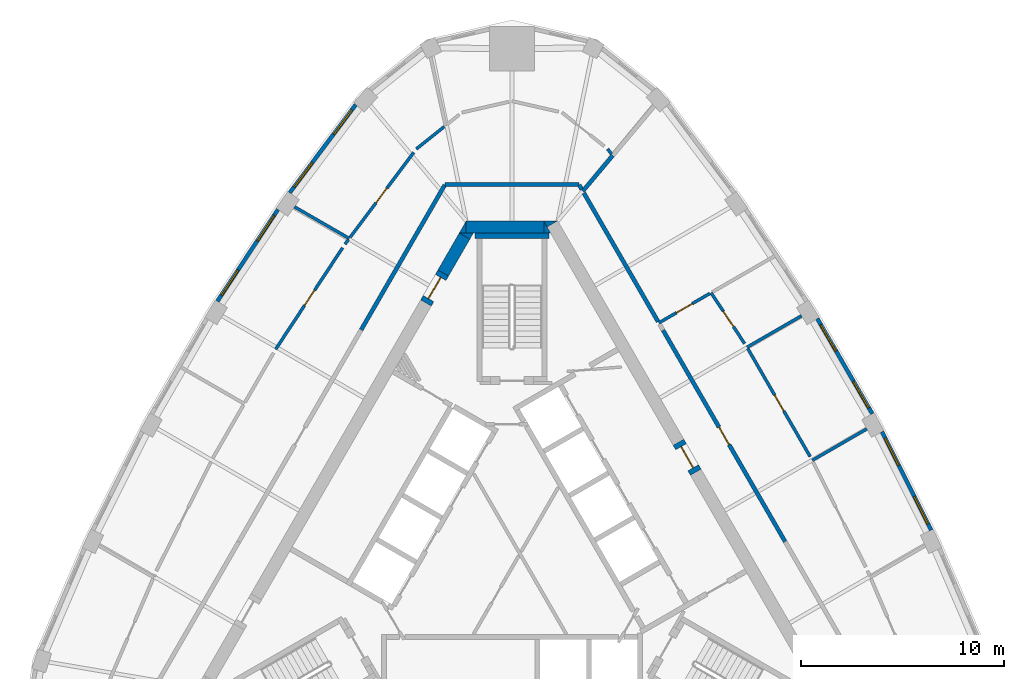
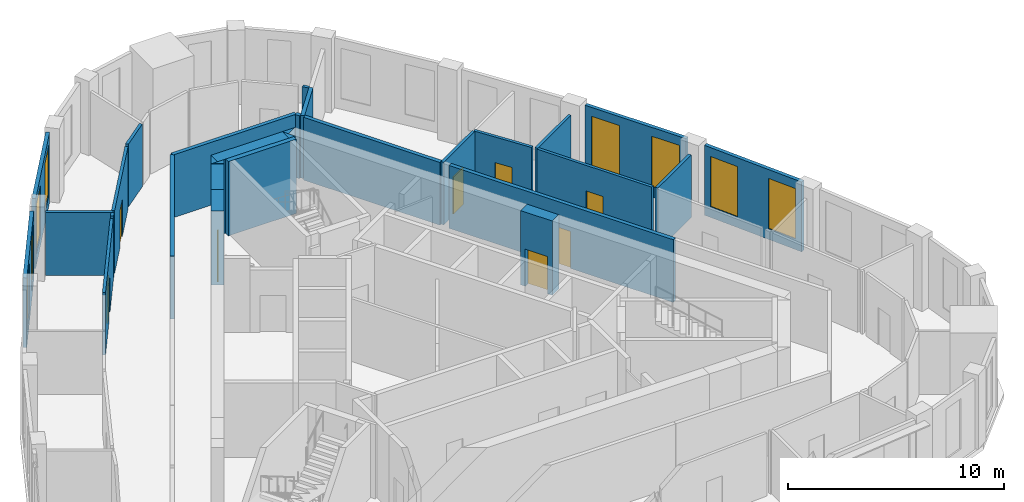
# One storey, part 8 of 10: 30 walls, 8 doors, 8 windows, 16 openings.
"""IFC4 building model written with IfcOpenShell, lengths in metres."""

from ifc_helpers import new_model, si_unit, direction, frame, frame_2d, origin, place, context, subcontext, project, spatial, polyline, rectangle, outline, extrude, material, layer, layer_set, type_object, element, fill, save


model = new_model("IFC4")

# Units and contexts
model_context = context("Model", 3, precision=1e-05, world=origin(), true_north=direction((0.0, 1.0)))
body_context = subcontext(model_context, "Body", "Model", "MODEL_VIEW")
ifc_project = project(units=[si_unit("LENGTHUNIT", "METRE"), si_unit("AREAUNIT", "SQUARE_METRE"), si_unit("VOLUMEUNIT", "CUBIC_METRE"), si_unit("PLANEANGLEUNIT", "RADIAN"), si_unit("MASSUNIT", "GRAM", prefix="KILO")], contexts=[model_context])

# Site, building, storey
site_placement = place(None, origin())
site = spatial("IfcSite", under=ifc_project, at=site_placement, CompositionType="ELEMENT")
building_placement = place(site_placement, origin())
building = spatial("IfcBuilding", under=site, at=building_placement, Name="Mestral Congress Tower", CompositionType="ELEMENT")
storey_placement = place(building_placement, frame((0.0, 0.0, 275.39990234375)))
storey = spatial("IfcBuildingStorey", under=building, at=storey_placement, Name="L64", CompositionType="ELEMENT", Elevation=275.39990234375)

# Walls
ifc_material_1 = material(Name="Concrete C60/75", Category="concrete")
ifc_layer_1 = layer(ifc_material_1, 0.60009765625)
ifc_layer_set_1 = layer_set([ifc_layer_1], Name="Concrete C60/75")
wall_type_1 = type_object("IfcWallType", Name="Core wall RC 600", PredefinedType="SOLIDWALL", material=ifc_layer_set_1)
placement = place(storey_placement, origin())
element("IfcWall", 1, at=placement, inside=storey, type_object=wall_type_1, Name="L64 core wall", PredefinedType="SOLIDWALL", context=body_context, shape_type="SweptSolid", body=[
    extrude(outline(polyline([(1.558837890625, 16.60009765625), (2.23486328125, 16.60009765625), (1.727783203125, 16.307373046875), (1.558837890625, 16.60009765625)])), origin(), (0.0, 0.0, 1.0), 4.2001953125),
])
wall_2_placement = place(storey_placement, frame((-2.258056640625, 16.300048828125, 0.0), z_axis=(0.0, 0.0, 1.0), x_axis=(1.0, 0.0, 0.0)))
element("IfcWall", 2, at=wall_2_placement, inside=storey, type_object=wall_type_1, Name="L64 core wall", PredefinedType="SOLIDWALL", context=body_context, shape_type="SweptSolid", body=[
    extrude(rectangle(XDim=3.8232421875, YDim=0.60009765625, at=frame_2d((1.91162109375, 0.0))), origin(), (0.0, 0.0, 1.0), 4.2001953125),
])
element("IfcWall", 3, at=placement, inside=storey, type_object=wall_type_1, Name="L64 core wall", PredefinedType="SOLIDWALL", context=body_context, shape_type="SweptSolid", body=[
    extrude(outline(polyline([(1.9052734375, 16.0), (1.5673828125, 16.0), (1.5673828125, 16.58544921875), (1.9052734375, 16.0)])), origin(), (0.0, 0.0, 1.0), 4.2001953125),
])
element("IfcWall", 4, at=placement, inside=storey, type_object=wall_type_1, Name="L64 core wall", PredefinedType="SOLIDWALL", context=body_context, shape_type="SweptSolid", body=[
    extrude(outline(polyline([(-2.59814453125, 16.0), (-2.260009765625, 16.58544921875), (-2.260009765625, 16.0), (-2.59814453125, 16.0)])), origin(), (0.0, 0.0, 1.0), 4.2001953125),
])
wall_5_placement = place(storey_placement, frame((-2.335205078125, 15.85546875, 0.0), z_axis=(0.0, 0.0, 1.0), x_axis=(-0.499980971027, -0.866036389889, 0.0)))
element("IfcWall", 5, at=wall_5_placement, inside=storey, type_object=wall_type_1, Name="L64 core wall", PredefinedType="SOLIDWALL", context=body_context, shape_type="SweptSolid", body=[
    extrude(rectangle(XDim=2.09814453125, YDim=0.60009765625, at=frame_2d((1.049072265625, 0.0))), origin(), (0.0, 0.0, 1.0), 4.2001953125),
])
element("IfcWall", 6, at=placement, inside=storey, type_object=wall_type_1, Name="L64 core wall", PredefinedType="SOLIDWALL", context=body_context, shape_type="SweptSolid", body=[
    extrude(outline(polyline([(-1.9052734375, 16.0), (-2.07421875, 15.707275390625), (-2.581298828125, 16.0), (-1.9052734375, 16.0)])), origin(), (0.0, 0.0, 1.0), 4.2001953125),
])

# Wall, opening, door
wall_7_placement = place(storey_placement, frame((-4.234375, 12.56591796875, 0.0), z_axis=(0.0, 0.0, 1.0), x_axis=(0.500000056704, 0.866025371046, 0.0)))
wall_7 = element("IfcWall", 7, at=wall_7_placement, inside=storey, type_object=wall_type_1, Name="L64 door wall", PredefinedType="SOLIDWALL", context=body_context, shape_type="SweptSolid", body=[
    extrude(rectangle(XDim=1.7001953125, YDim=0.60009765625, at=frame_2d((0.85009765625, 0.0))), origin(), (0.0, 0.0, 1.0), 4.2001953125),
])
opening_1_placement = place(wall_7_placement, frame((0.25, 0.0, 0.0)))
opening_1 = element("IfcOpeningElement", 8, at=opening_1_placement, cuts=wall_7, Name="Opening XD2", PredefinedType="OPENING", context=body_context, shape_type="SweptSolid", body=[
    extrude(rectangle(XDim=1.199951171875, YDim=2.10009765625, at=frame_2d((0.60009765625, 1.050048828125))), frame((0.0, 0.31005859375, 0.0), z_axis=(0.0, -1.0, 0.0), x_axis=(1.0, 0.0, 0.0)), (0.0, 0.0, 1.0), 0.6201171875),
])
ifc_material_2 = material(Name="Fire-rated steel door set", Category="steel")
door_type_1 = type_object("IfcDoorType", Name="Core door XD 1200x2100", OperationType="SINGLE_SWING_LEFT", PredefinedType="DOOR", material=ifc_material_2)
door_1_placement = place(opening_1_placement, origin())
door_1 = element("IfcDoor", 9, at=door_1_placement, inside=storey, type_object=door_type_1, Name="Door XD2", OperationType="SINGLE_SWING_LEFT", OverallHeight=2.10009765625, OverallWidth=1.199951171875, PredefinedType="DOOR", context=body_context, shape_type="SweptSolid", body=[
    extrude(rectangle(XDim=1.199951171875, YDim=2.10009765625, at=frame_2d((0.60009765625, 1.050048828125))), frame((0.0, 0.02490234375, 0.0), z_axis=(0.0, -1.0, 0.0), x_axis=(1.0, 0.0, 0.0)), (0.0, 0.0, 1.0), 0.050048828125),
])
fill(opening_1, door_1)

wall_8_placement = place(storey_placement, frame((8.19189453125, 5.711181640625, 0.0), z_axis=(0.0, 0.0, 1.0), x_axis=(0.500062241894, -0.865989465428, 0.0)))
wall_8 = element("IfcWall", 10, at=wall_8_placement, inside=storey, type_object=wall_type_1, Name="L64 door wall", PredefinedType="SOLIDWALL", context=body_context, shape_type="SweptSolid", body=[
    extrude(rectangle(XDim=1.699951171875, YDim=0.60009765625, at=frame_2d((0.85009765625, 0.0))), origin(), (0.0, 0.0, 1.0), 4.2001953125),
])
opening_2_placement = place(wall_8_placement, frame((0.25, 0.0, 0.0)))
opening_2 = element("IfcOpeningElement", 11, at=opening_2_placement, cuts=wall_8, Name="Opening XDL", PredefinedType="OPENING", context=body_context, shape_type="SweptSolid", body=[
    extrude(rectangle(XDim=1.199951171875, YDim=2.10009765625, at=frame_2d((0.60009765625, 1.050048828125))), frame((0.0, 0.31005859375, 0.0), z_axis=(0.0, -1.0, 0.0), x_axis=(1.0, 0.0, 0.0)), (0.0, 0.0, 1.0), 0.6201171875),
])
door_2_placement = place(opening_2_placement, origin())
door_2 = element("IfcDoor", 12, at=door_2_placement, inside=storey, type_object=door_type_1, Name="Door XDL", OperationType="SINGLE_SWING_LEFT", OverallHeight=2.10009765625, OverallWidth=1.199951171875, PredefinedType="DOOR", context=body_context, shape_type="SweptSolid", body=[
    extrude(rectangle(XDim=1.199951171875, YDim=2.10009765625, at=frame_2d((0.60009765625, 1.050048828125))), frame((0.0, 0.02490234375, 0.0), z_axis=(0.0, -1.0, 0.0), x_axis=(1.0, 0.0, 0.0)), (0.0, 0.0, 1.0), 0.050048828125),
])
fill(opening_2, door_2)

# Wall, openings, windows
ifc_material_3 = material(Name="Precast concrete C40/50 with limestone facing", Category="masonry")
ifc_layer_2 = layer(ifc_material_3, 0.18994140625)
ifc_layer_set_2 = layer_set([ifc_layer_2], Name="Precast concrete C40/50 with limestone facing")
wall_type_2 = type_object("IfcWallType", Name="Facade stone wall 190", PredefinedType="SOLIDWALL", material=ifc_layer_set_2)
wall_9_placement = place(storey_placement, frame((20.625, 1.39208984375, 0.0), z_axis=(0.0, 0.0, 1.0), x_axis=(-0.447484531401, 0.894291671747, 0.0)))
wall_9 = element("IfcWall", 13, at=wall_9_placement, inside=storey, type_object=wall_type_2, Name="Facade wall F1-01", PredefinedType="SOLIDWALL", context=body_context, shape_type="SweptSolid", body=[
    extrude(rectangle(XDim=5.40625, YDim=0.18994140625, at=frame_2d((2.703125, 0.0))), origin(), (0.0, 0.0, 1.0), 3.9501953125),
])
opening_3_placement = place(wall_9_placement, frame((0.346435546875, 0.0, 0.60009765625)))
opening_3 = element("IfcOpeningElement", 14, at=opening_3_placement, cuts=wall_9, Name="Opening W6", PredefinedType="OPENING", context=body_context, shape_type="SweptSolid", body=[
    extrude(rectangle(XDim=1.5, YDim=2.85009765625, at=frame_2d((0.75, 1.425048828125))), frame((0.0, 0.10498046875, 0.0), z_axis=(0.0, -1.0, 0.0), x_axis=(1.0, 0.0, 0.0)), (0.0, 0.0, 1.0), 0.2099609375),
])
opening_4_placement = place(wall_9_placement, frame((3.559326171875, 0.0, 0.60009765625)))
opening_4 = element("IfcOpeningElement", 15, at=opening_4_placement, cuts=wall_9, Name="Opening W6", PredefinedType="OPENING", context=body_context, shape_type="SweptSolid", body=[
    extrude(rectangle(XDim=1.5, YDim=2.85009765625, at=frame_2d((0.75, 1.425048828125))), frame((0.0, 0.10498046875, 0.0), z_axis=(0.0, -1.0, 0.0), x_axis=(1.0, 0.0, 0.0)), (0.0, 0.0, 1.0), 0.2099609375),
])
ifc_material_4 = material(Name="Clear low-emissivity double glazing", Category="glass")
window_type = type_object("IfcWindowType", Name="Facade punched window 1500 x 2850 sill 600", PartitioningType="SINGLE_PANEL", PredefinedType="WINDOW", material=ifc_material_4)
window_1_placement = place(opening_3_placement, origin())
window_1 = element("IfcWindow", 16, at=window_1_placement, inside=storey, type_object=window_type, Name="Window F1-01a", OverallHeight=2.85009765625, OverallWidth=1.5, PartitioningType="SINGLE_PANEL", PredefinedType="WINDOW", context=body_context, shape_type="SweptSolid", body=[
    extrude(rectangle(XDim=1.5, YDim=2.85009765625, at=frame_2d((0.75, 1.425048828125))), frame((0.0, 0.044921875, 0.0), z_axis=(0.0, -1.0, 0.0), x_axis=(1.0, 0.0, 0.0)), (0.0, 0.0, 1.0), 0.06005859375),
])
fill(opening_3, window_1)
window_2_placement = place(opening_4_placement, origin())
window_2 = element("IfcWindow", 17, at=window_2_placement, inside=storey, type_object=window_type, Name="Window F1-01b", OverallHeight=2.85009765625, OverallWidth=1.5, PartitioningType="SINGLE_PANEL", PredefinedType="WINDOW", context=body_context, shape_type="SweptSolid", body=[
    extrude(rectangle(XDim=1.5, YDim=2.85009765625, at=frame_2d((0.75, 1.425048828125))), frame((0.0, 0.044921875, 0.0), z_axis=(0.0, -1.0, 0.0), x_axis=(1.0, 0.0, 0.0)), (0.0, 0.0, 1.0), 0.06005859375),
])
fill(opening_4, window_2)

wall_10_placement = place(storey_placement, frame((17.728271484375, 7.1142578125, 0.0), z_axis=(0.0, 0.0, 1.0), x_axis=(-0.500024767483, 0.866011103799, 0.0)))
wall_10 = element("IfcWall", 18, at=wall_10_placement, inside=storey, type_object=wall_type_2, Name="Facade wall F1-02", PredefinedType="SOLIDWALL", context=body_context, shape_type="SweptSolid", body=[
    extrude(rectangle(XDim=5.406005859375, YDim=0.18994140625, at=frame_2d((2.703125, 0.0))), origin(), (0.0, 0.0, 1.0), 3.9501953125),
])
opening_5_placement = place(wall_10_placement, frame((0.346435546875, 0.0, 0.60009765625)))
opening_5 = element("IfcOpeningElement", 19, at=opening_5_placement, cuts=wall_10, Name="Opening W6", PredefinedType="OPENING", context=body_context, shape_type="SweptSolid", body=[
    extrude(rectangle(XDim=1.5, YDim=2.85009765625, at=frame_2d((0.75, 1.425048828125))), frame((0.0, 0.10498046875, 0.0), z_axis=(0.0, -1.0, 0.0), x_axis=(1.0, 0.0, 0.0)), (0.0, 0.0, 1.0), 0.2099609375),
])
opening_6_placement = place(wall_10_placement, frame((3.5595703125, 0.0, 0.60009765625)))
opening_6 = element("IfcOpeningElement", 20, at=opening_6_placement, cuts=wall_10, Name="Opening W6", PredefinedType="OPENING", context=body_context, shape_type="SweptSolid", body=[
    extrude(rectangle(XDim=1.5, YDim=2.85009765625, at=frame_2d((0.75, 1.425048828125))), frame((0.0, 0.10498046875, 0.0), z_axis=(0.0, -1.0, 0.0), x_axis=(1.0, 0.0, 0.0)), (0.0, 0.0, 1.0), 0.2099609375),
])
window_3_placement = place(opening_5_placement, origin())
window_3 = element("IfcWindow", 21, at=window_3_placement, inside=storey, type_object=window_type, Name="Window F1-02a", OverallHeight=2.85009765625, OverallWidth=1.5, PartitioningType="SINGLE_PANEL", PredefinedType="WINDOW", context=body_context, shape_type="SweptSolid", body=[
    extrude(rectangle(XDim=1.5, YDim=2.85009765625, at=frame_2d((0.75, 1.425048828125))), frame((0.0, 0.044921875, 0.0), z_axis=(0.0, -1.0, 0.0), x_axis=(1.0, 0.0, 0.0)), (0.0, 0.0, 1.0), 0.06005859375),
])
fill(opening_5, window_3)
window_4_placement = place(opening_6_placement, origin())
window_4 = element("IfcWindow", 22, at=window_4_placement, inside=storey, type_object=window_type, Name="Window F1-02b", OverallHeight=2.85009765625, OverallWidth=1.5, PartitioningType="SINGLE_PANEL", PredefinedType="WINDOW", context=body_context, shape_type="SweptSolid", body=[
    extrude(rectangle(XDim=1.5, YDim=2.85009765625, at=frame_2d((0.75, 1.425048828125))), frame((0.0, 0.044921875, 0.0), z_axis=(0.0, -1.0, 0.0), x_axis=(1.0, 0.0, 0.0)), (0.0, 0.0, 1.0), 0.06005859375),
])
fill(opening_6, window_4)

wall_11_placement = place(storey_placement, frame((-7.691650390625, 22.32373046875, 0.0), z_axis=(0.0, 0.0, 1.0), x_axis=(-0.599559865294, -0.800329911929, 0.0)))
wall_11 = element("IfcWall", 23, at=wall_11_placement, inside=storey, type_object=wall_type_2, Name="Facade wall F2-00", PredefinedType="SOLIDWALL", context=body_context, shape_type="SweptSolid", body=[
    extrude(rectangle(XDim=5.4150390625, YDim=0.18994140625, at=frame_2d((2.70751953125, 0.0))), origin(), (0.0, 0.0, 1.0), 3.9501953125),
])
opening_7_placement = place(wall_11_placement, frame((0.322509765625, 0.0, 0.60009765625)))
opening_7 = element("IfcOpeningElement", 24, at=opening_7_placement, cuts=wall_11, Name="Opening W6", PredefinedType="OPENING", context=body_context, shape_type="SweptSolid", body=[
    extrude(rectangle(XDim=1.5, YDim=2.85009765625, at=frame_2d((0.75, 1.425048828125))), frame((0.0, 0.10498046875, 0.0), z_axis=(0.0, -1.0, 0.0), x_axis=(1.0, 0.0, 0.0)), (0.0, 0.0, 1.0), 0.2099609375),
])
opening_8_placement = place(wall_11_placement, frame((3.5576171875, 0.0, 0.60009765625)))
opening_8 = element("IfcOpeningElement", 25, at=opening_8_placement, cuts=wall_11, Name="Opening W6", PredefinedType="OPENING", context=body_context, shape_type="SweptSolid", body=[
    extrude(rectangle(XDim=1.5, YDim=2.85009765625, at=frame_2d((0.75, 1.425048828125))), frame((0.0, 0.10498046875, 0.0), z_axis=(0.0, -1.0, 0.0), x_axis=(1.0, 0.0, 0.0)), (0.0, 0.0, 1.0), 0.2099609375),
])
window_5_placement = place(opening_7_placement, origin())
window_5 = element("IfcWindow", 26, at=window_5_placement, inside=storey, type_object=window_type, Name="Window F2-00a", OverallHeight=2.85009765625, OverallWidth=1.5, PartitioningType="SINGLE_PANEL", PredefinedType="WINDOW", context=body_context, shape_type="SweptSolid", body=[
    extrude(rectangle(XDim=1.5, YDim=2.85009765625, at=frame_2d((0.75, 1.425048828125))), frame((0.0, 0.044921875, 0.0), z_axis=(0.0, -1.0, 0.0), x_axis=(1.0, 0.0, 0.0)), (0.0, 0.0, 1.0), 0.06005859375),
])
fill(opening_7, window_5)
window_6_placement = place(opening_8_placement, origin())
window_6 = element("IfcWindow", 27, at=window_6_placement, inside=storey, type_object=window_type, Name="Window F2-00b", OverallHeight=2.85009765625, OverallWidth=1.5, PartitioningType="SINGLE_PANEL", PredefinedType="WINDOW", context=body_context, shape_type="SweptSolid", body=[
    extrude(rectangle(XDim=1.5, YDim=2.85009765625, at=frame_2d((0.75, 1.425048828125))), frame((0.0, 0.044921875, 0.0), z_axis=(0.0, -1.0, 0.0), x_axis=(1.0, 0.0, 0.0)), (0.0, 0.0, 1.0), 0.06005859375),
])
fill(opening_8, window_6)

wall_12_placement = place(storey_placement, frame((-11.518310546875, 17.16552734375, 0.0), z_axis=(0.0, 0.0, 1.0), x_axis=(-0.550744054781, -0.83467417962, 0.0)))
wall_12 = element("IfcWall", 28, at=wall_12_placement, inside=storey, type_object=wall_type_2, Name="Facade wall F2-01", PredefinedType="SOLIDWALL", context=body_context, shape_type="SweptSolid", body=[
    extrude(rectangle(XDim=5.406005859375, YDim=0.18994140625, at=frame_2d((2.703125, 0.0))), origin(), (0.0, 0.0, 1.0), 3.9501953125),
])
opening_9_placement = place(wall_12_placement, frame((0.346435546875, 0.0, 0.60009765625)))
opening_9 = element("IfcOpeningElement", 29, at=opening_9_placement, cuts=wall_12, Name="Opening W6", PredefinedType="OPENING", context=body_context, shape_type="SweptSolid", body=[
    extrude(rectangle(XDim=1.5, YDim=2.85009765625, at=frame_2d((0.75, 1.425048828125))), frame((0.0, 0.10498046875, 0.0), z_axis=(0.0, -1.0, 0.0), x_axis=(1.0, 0.0, 0.0)), (0.0, 0.0, 1.0), 0.2099609375),
])
opening_10_placement = place(wall_12_placement, frame((3.559326171875, 0.0, 0.60009765625)))
opening_10 = element("IfcOpeningElement", 30, at=opening_10_placement, cuts=wall_12, Name="Opening W6", PredefinedType="OPENING", context=body_context, shape_type="SweptSolid", body=[
    extrude(rectangle(XDim=1.5, YDim=2.85009765625, at=frame_2d((0.75, 1.425048828125))), frame((0.0, 0.10498046875, 0.0), z_axis=(0.0, -1.0, 0.0), x_axis=(1.0, 0.0, 0.0)), (0.0, 0.0, 1.0), 0.2099609375),
])
window_7_placement = place(opening_9_placement, origin())
window_7 = element("IfcWindow", 31, at=window_7_placement, inside=storey, type_object=window_type, Name="Window F2-01a", OverallHeight=2.85009765625, OverallWidth=1.5, PartitioningType="SINGLE_PANEL", PredefinedType="WINDOW", context=body_context, shape_type="SweptSolid", body=[
    extrude(rectangle(XDim=1.5, YDim=2.85009765625, at=frame_2d((0.75, 1.425048828125))), frame((0.0, 0.044921875, 0.0), z_axis=(0.0, -1.0, 0.0), x_axis=(1.0, 0.0, 0.0)), (0.0, 0.0, 1.0), 0.06005859375),
])
fill(opening_9, window_7)
window_8_placement = place(opening_10_placement, origin())
window_8 = element("IfcWindow", 32, at=window_8_placement, inside=storey, type_object=window_type, Name="Window F2-01b", OverallHeight=2.85009765625, OverallWidth=1.5, PartitioningType="SINGLE_PANEL", PredefinedType="WINDOW", context=body_context, shape_type="SweptSolid", body=[
    extrude(rectangle(XDim=1.5, YDim=2.85009765625, at=frame_2d((0.75, 1.425048828125))), frame((0.0, 0.044921875, 0.0), z_axis=(0.0, -1.0, 0.0), x_axis=(1.0, 0.0, 0.0)), (0.0, 0.0, 1.0), 0.06005859375),
])
fill(opening_10, window_8)

# Walls
ifc_material_5 = material(Name="Plasterboard partition on steel studs", Category="steel")
ifc_layer_3 = layer(ifc_material_5, 0.14990234375)
ifc_layer_set_3 = layer_set([ifc_layer_3], Name="Plasterboard partition on steel studs")
wall_type_3 = type_object("IfcWallType", Name="Office partition 150", PredefinedType="PARTITIONING", material=ifc_layer_set_3)
for number, where, z_axis, x_axis, name in (
    (33, (14.77734375, 4.821533203125, 0.0), (0.0, 0.0, 1.0), (0.865992557167, 0.500056887695, 0.0), "Partition"),
    (34, (11.564208984375, 10.38671875, 0.0), (0.0, 0.0, 1.0), (0.86604641216, 0.499963610661, 0.0), "Partition"),
):
    element("IfcWall", number, at=place(storey_placement, frame(where, z_axis=z_axis, x_axis=x_axis)), inside=storey, type_object=wall_type_3, Name=name, PredefinedType="PARTITIONING", context=body_context, shape_type="SweptSolid", body=[
        extrude(rectangle(XDim=3.096435546875, YDim=0.14990234375, at=frame_2d((1.54833984375, 0.0))), origin(), (0.0, 0.0, 1.0), 3.550048828125),
    ])

# Wall, opening, door
wall_13_placement = place(storey_placement, frame((11.601806640625, 10.32177734375, 0.0), z_axis=(0.0, 0.0, 1.0), x_axis=(0.499989914735, -0.866031226437, 0.0)))
wall_13 = element("IfcWall", 35, at=wall_13_placement, inside=storey, type_object=wall_type_3, Name="Partition", PredefinedType="PARTITIONING", context=body_context, shape_type="SweptSolid", body=[
    extrude(rectangle(XDim=6.136962890625, YDim=0.14990234375, at=frame_2d((3.068359375, 0.0))), origin(), (0.0, 0.0, 1.0), 3.550048828125),
])
opening_11_placement = place(wall_13_placement, frame((2.63671875, 0.0, 0.0)))
opening_11 = element("IfcOpeningElement", 36, at=opening_11_placement, cuts=wall_13, Name="Opening O11-009", PredefinedType="OPENING", context=body_context, shape_type="SweptSolid", body=[
    extrude(rectangle(XDim=0.89990234375, YDim=2.10009765625, at=frame_2d((0.449951171875, 1.050048828125))), frame((0.0, 0.0849609375, 0.0), z_axis=(0.0, -1.0, 0.0), x_axis=(1.0, 0.0, 0.0)), (0.0, 0.0, 1.0), 0.169921875),
])
ifc_material_6 = material(Name="Timber door set", Category="wood")
door_type_2 = type_object("IfcDoorType", Name="Office door 900x2100", OperationType="SINGLE_SWING_LEFT", PredefinedType="DOOR", material=ifc_material_6)
door_3_placement = place(opening_11_placement, origin())
door_3 = element("IfcDoor", 37, at=door_3_placement, inside=storey, type_object=door_type_2, Name="Door O11-009", OperationType="SINGLE_SWING_RIGHT", OverallHeight=2.10009765625, OverallWidth=0.89990234375, PredefinedType="DOOR", context=body_context, shape_type="SweptSolid", body=[
    extrude(rectangle(XDim=0.89990234375, YDim=2.10009765625, at=frame_2d((0.449951171875, 1.050048828125))), frame((0.0, 0.02490234375, 0.0), z_axis=(0.0, -1.0, 0.0), x_axis=(1.0, 0.0, 0.0)), (0.0, 0.0, 1.0), 0.050048828125),
])
fill(opening_11, door_3)

wall_14_placement = place(storey_placement, frame((9.794677734375, 13.068359375, 0.0), z_axis=(0.0, 0.0, 1.0), x_axis=(0.550767347659, -0.834658809786, 0.0)))
wall_14 = element("IfcWall", 38, at=wall_14_placement, inside=storey, type_object=wall_type_3, Name="Partition", PredefinedType="PARTITIONING", context=body_context, shape_type="SweptSolid", body=[
    extrude(rectangle(XDim=2.998779296875, YDim=0.14990234375, at=frame_2d((1.49951171875, 0.0))), origin(), (0.0, 0.0, 1.0), 3.550048828125),
])
opening_12_placement = place(wall_14_placement, frame((1.0986328125, 0.0, 0.0)))
opening_12 = element("IfcOpeningElement", 39, at=opening_12_placement, cuts=wall_14, Name="Opening O11-010", PredefinedType="OPENING", context=body_context, shape_type="SweptSolid", body=[
    extrude(rectangle(XDim=0.89990234375, YDim=2.10009765625, at=frame_2d((0.449951171875, 1.050048828125))), frame((0.0, 0.0849609375, 0.0), z_axis=(0.0, -1.0, 0.0), x_axis=(1.0, 0.0, 0.0)), (0.0, 0.0, 1.0), 0.169921875),
])
door_4_placement = place(opening_12_placement, origin())
door_4 = element("IfcDoor", 40, at=door_4_placement, inside=storey, type_object=door_type_2, Name="Door O11-010", OperationType="SINGLE_SWING_RIGHT", OverallHeight=2.10009765625, OverallWidth=0.89990234375, PredefinedType="DOOR", context=body_context, shape_type="SweptSolid", body=[
    extrude(rectangle(XDim=0.89990234375, YDim=2.10009765625, at=frame_2d((0.449951171875, 1.050048828125))), frame((0.0, 0.02490234375, 0.0), z_axis=(0.0, -1.0, 0.0), x_axis=(1.0, 0.0, 0.0)), (0.0, 0.0, 1.0), 0.050048828125),
])
fill(opening_12, door_4)

wall_15_placement = place(storey_placement, frame((7.2255859375, 11.585205078125, 0.0), z_axis=(0.0, 0.0, 1.0), x_axis=(0.866021079084, 0.500007490527, 0.0)))
wall_15 = element("IfcWall", 41, at=wall_15_placement, inside=storey, type_object=wall_type_3, Name="Partition", PredefinedType="PARTITIONING", context=body_context, shape_type="SweptSolid", body=[
    extrude(rectangle(XDim=2.8916015625, YDim=0.14990234375, at=frame_2d((1.44580078125, 0.0))), origin(), (0.0, 0.0, 1.0), 3.550048828125),
])
opening_13_placement = place(wall_15_placement, frame((1.0, 0.0, 0.0)))
opening_13 = element("IfcOpeningElement", 42, at=opening_13_placement, cuts=wall_15, Name="Opening O11-012", PredefinedType="OPENING", context=body_context, shape_type="SweptSolid", body=[
    extrude(rectangle(XDim=0.89990234375, YDim=2.10009765625, at=frame_2d((0.449951171875, 1.050048828125))), frame((0.0, 0.0849609375, 0.0), z_axis=(0.0, -1.0, 0.0), x_axis=(1.0, 0.0, 0.0)), (0.0, 0.0, 1.0), 0.169921875),
])
door_5_placement = place(opening_13_placement, origin())
door_5 = element("IfcDoor", 43, at=door_5_placement, inside=storey, type_object=door_type_2, Name="Door O11-012", OperationType="SINGLE_SWING_RIGHT", OverallHeight=2.10009765625, OverallWidth=0.89990234375, PredefinedType="DOOR", context=body_context, shape_type="SweptSolid", body=[
    extrude(rectangle(XDim=0.89990234375, YDim=2.10009765625, at=frame_2d((0.449951171875, 1.050048828125))), frame((0.0, 0.02490234375, 0.0), z_axis=(0.0, -1.0, 0.0), x_axis=(1.0, 0.0, 0.0)), (0.0, 0.0, 1.0), 0.050048828125),
])
fill(opening_13, door_5)

# Walls
wall_16_placement = place(storey_placement, frame((4.89111328125, 19.8994140625, 0.0), z_axis=(0.0, 0.0, 1.0), x_axis=(-0.6, 0.8, 0.0)))
element("IfcWall", 44, at=wall_16_placement, inside=storey, type_object=wall_type_3, Name="Partition", PredefinedType="PARTITIONING", context=body_context, shape_type="SweptSolid", body=[
    extrude(rectangle(XDim=0.308837890625, YDim=0.14990234375, at=frame_2d((0.154296875, 0.0))), origin(), (0.0, 0.0, 1.0), 3.550048828125),
])
wall_17_placement = place(storey_placement, frame((-8.007080078125, 15.73974609375, 0.0), z_axis=(0.0, 0.0, 1.0), x_axis=(-0.866044607523, 0.499966736674, 0.0)))
element("IfcWall", 45, at=wall_17_placement, inside=storey, type_object=wall_type_3, Name="Partition", PredefinedType="PARTITIONING", context=body_context, shape_type="SweptSolid", body=[
    extrude(rectangle(XDim=3.114501953125, YDim=0.14990234375, at=frame_2d((1.55712890625, 0.0))), origin(), (0.0, 0.0, 1.0), 3.550048828125),
])
wall_18_placement = place(storey_placement, frame((-3.337158203125, 21.239013671875, 0.0), z_axis=(0.0, 0.0, 1.0), x_axis=(-0.781534814884, -0.62386162979, 0.0)))
element("IfcWall", 46, at=wall_18_placement, inside=storey, type_object=wall_type_3, Name="Partition", PredefinedType="PARTITIONING", context=body_context, shape_type="SweptSolid", body=[
    extrude(rectangle(XDim=1.751220703125, YDim=0.14990234375, at=frame_2d((0.87548828125, 0.0))), origin(), (0.0, 0.0, 1.0), 3.550048828125),
])

# Wall, opening, door
wall_19_placement = place(storey_placement, frame((-7.9619140625, 15.800048828125, 0.0), z_axis=(0.0, 0.0, 1.0), x_axis=(0.599528135832, 0.800353680785, 0.0)))
wall_19 = element("IfcWall", 47, at=wall_19_placement, inside=storey, type_object=wall_type_3, Name="Partition", PredefinedType="PARTITIONING", context=body_context, shape_type="SweptSolid", body=[
    extrude(rectangle(XDim=5.216552734375, YDim=0.14990234375, at=frame_2d((2.6083984375, 0.0))), origin(), (0.0, 0.0, 1.0), 3.550048828125),
])
opening_14_placement = place(wall_19_placement, frame((2.116455078125, 0.0, 0.0)))
opening_14 = element("IfcOpeningElement", 48, at=opening_14_placement, cuts=wall_19, Name="Opening O11-014", PredefinedType="OPENING", context=body_context, shape_type="SweptSolid", body=[
    extrude(rectangle(XDim=0.89990234375, YDim=2.10009765625, at=frame_2d((0.449951171875, 1.050048828125))), frame((0.0, 0.0849609375, 0.0), z_axis=(0.0, -1.0, 0.0), x_axis=(1.0, 0.0, 0.0)), (0.0, 0.0, 1.0), 0.169921875),
])
door_6_placement = place(opening_14_placement, origin())
door_6 = element("IfcDoor", 49, at=door_6_placement, inside=storey, type_object=door_type_2, Name="Door O11-014", OperationType="SINGLE_SWING_LEFT", OverallHeight=2.10009765625, OverallWidth=0.89990234375, PredefinedType="DOOR", context=body_context, shape_type="SweptSolid", body=[
    extrude(rectangle(XDim=0.89990234375, YDim=2.10009765625, at=frame_2d((0.449951171875, 1.050048828125))), frame((0.0, 0.02490234375, 0.0), z_axis=(0.0, -1.0, 0.0), x_axis=(1.0, 0.0, 0.0)), (0.0, 0.0, 1.0), 0.050048828125),
])
fill(opening_14, door_6)

# Wall
wall_20_placement = place(storey_placement, frame((-8.052490234375, 15.67919921875, 0.0), z_axis=(0.0, 0.0, 1.0), x_axis=(-0.599004157744, -0.800745914136, 0.0)))
element("IfcWall", 50, at=wall_20_placement, inside=storey, type_object=wall_type_3, Name="Partition", PredefinedType="PARTITIONING", context=body_context, shape_type="SweptSolid", body=[
    extrude(rectangle(XDim=0.274658203125, YDim=0.14990234375, at=frame_2d((0.13720703125, 0.0))), origin(), (0.0, 0.0, 1.0), 3.550048828125),
])

# Wall, opening, door
wall_21_placement = place(storey_placement, frame((-11.62841796875, 10.28955078125, 0.0), z_axis=(0.0, 0.0, 1.0), x_axis=(0.55074607557, 0.834672846236, 0.0)))
wall_21 = element("IfcWall", 51, at=wall_21_placement, inside=storey, type_object=wall_type_3, Name="Partition", PredefinedType="PARTITIONING", context=body_context, shape_type="SweptSolid", body=[
    extrude(rectangle(XDim=5.9794921875, YDim=0.14990234375, at=frame_2d((2.98974609375, 0.0))), origin(), (0.0, 0.0, 1.0), 3.550048828125),
])
opening_15_placement = place(wall_21_placement, frame((2.57958984375, 0.0, 0.0)))
opening_15 = element("IfcOpeningElement", 52, at=opening_15_placement, cuts=wall_21, Name="Opening O11-015", PredefinedType="OPENING", context=body_context, shape_type="SweptSolid", body=[
    extrude(rectangle(XDim=0.89990234375, YDim=2.10009765625, at=frame_2d((0.449951171875, 1.050048828125))), frame((0.0, 0.0849609375, 0.0), z_axis=(0.0, -1.0, 0.0), x_axis=(1.0, 0.0, 0.0)), (0.0, 0.0, 1.0), 0.169921875),
])
door_7_placement = place(opening_15_placement, origin())
door_7 = element("IfcDoor", 53, at=door_7_placement, inside=storey, type_object=door_type_2, Name="Door O11-015", OperationType="SINGLE_SWING_RIGHT", OverallHeight=2.10009765625, OverallWidth=0.89990234375, PredefinedType="DOOR", context=body_context, shape_type="SweptSolid", body=[
    extrude(rectangle(XDim=0.89990234375, YDim=2.10009765625, at=frame_2d((0.449951171875, 1.050048828125))), frame((0.0, 0.02490234375, 0.0), z_axis=(0.0, -1.0, 0.0), x_axis=(1.0, 0.0, 0.0)), (0.0, 0.0, 1.0), 0.050048828125),
])
fill(opening_15, door_7)

ifc_material_7 = material(Name="Dense masonry wall, plastered", Category="masonry")
ifc_layer_4 = layer(ifc_material_7, 0.199951171875)
ifc_layer_set_4 = layer_set([ifc_layer_4], Name="Dense masonry wall, plastered")
wall_type_4 = type_object("IfcWallType", Name="Office tenancy wall 200", PredefinedType="PARTITIONING", material=ifc_layer_set_4)
wall_22_placement = place(storey_placement, frame((13.435546875, 0.828857421875, 0.0), z_axis=(0.0, 0.0, 1.0), x_axis=(-0.49999894854, 0.866026010844, 0.0)))
wall_22 = element("IfcWall", 54, at=wall_22_placement, inside=storey, type_object=wall_type_4, Name="Tenancy wall", PredefinedType="PARTITIONING", context=body_context, shape_type="SweptSolid", body=[
    extrude(rectangle(XDim=12.0, YDim=0.199951171875, at=frame_2d((6.0, 0.0))), origin(), (0.0, 0.0, 1.0), 3.550048828125),
])
opening_16_placement = place(wall_22_placement, frame((5.5, 0.0, 0.0)))
opening_16 = element("IfcOpeningElement", 55, at=opening_16_placement, cuts=wall_22, Name="Opening O11-011", PredefinedType="OPENING", context=body_context, shape_type="SweptSolid", body=[
    extrude(rectangle(XDim=1.0, YDim=2.10009765625, at=frame_2d((0.5, 1.050048828125))), frame((0.0, 0.10986328125, 0.0), z_axis=(0.0, -1.0, 0.0), x_axis=(1.0, 0.0, 0.0)), (0.0, 0.0, 1.0), 0.219970703125),
])
ifc_material_8 = material(Name="Fire-rated timber door set", Category="wood")
door_type_3 = type_object("IfcDoorType", Name="Office tenancy entrance door 1000x2100", OperationType="SINGLE_SWING_LEFT", PredefinedType="DOOR", material=ifc_material_8)
door_8_placement = place(opening_16_placement, origin())
door_8 = element("IfcDoor", 56, at=door_8_placement, inside=storey, type_object=door_type_3, Name="Door O11-011", OperationType="SINGLE_SWING_RIGHT", OverallHeight=2.10009765625, OverallWidth=1.0, PredefinedType="DOOR", context=body_context, shape_type="SweptSolid", body=[
    extrude(rectangle(XDim=1.0, YDim=2.10009765625, at=frame_2d((0.5, 1.050048828125))), frame((0.0, 0.02490234375, 0.0), z_axis=(0.0, -1.0, 0.0), x_axis=(1.0, 0.0, 0.0)), (0.0, 0.0, 1.0), 0.050048828125),
])
fill(opening_16, door_8)

# Walls
wall_23_placement = place(storey_placement, frame((3.483154296875, 18.06689453125, 0.0), z_axis=(0.0, 0.0, 1.0), x_axis=(0.642896944312, 0.765952687177, 0.0)))
element("IfcWall", 57, at=wall_23_placement, inside=storey, type_object=wall_type_4, Name="Tenancy wall", PredefinedType="PARTITIONING", context=body_context, shape_type="SweptSolid", body=[
    extrude(rectangle(XDim=2.28955078125, YDim=0.199951171875, at=frame_2d((1.144775390625, 0.0))), origin(), (0.0, 0.0, 1.0), 3.550048828125),
])
wall_24_placement = place(storey_placement, frame((7.18798828125, 11.64990234375, 0.0), z_axis=(0.0, 0.0, 1.0), x_axis=(-0.499989634868, 0.866031388014, 0.0)))
element("IfcWall", 58, at=wall_24_placement, inside=storey, type_object=wall_type_4, Name="Tenancy wall", PredefinedType="PARTITIONING", context=body_context, shape_type="SweptSolid", body=[
    extrude(rectangle(XDim=7.303466796875, YDim=0.199951171875, at=frame_2d((3.65185546875, 0.0))), origin(), (0.0, 0.0, 1.0), 3.550048828125),
])
wall_25_placement = place(storey_placement, frame((3.291015625, 18.39990234375, 0.0), z_axis=(0.0, 0.0, 1.0), x_axis=(-1.0, 0.0, 0.0)))
element("IfcWall", 59, at=wall_25_placement, inside=storey, type_object=wall_type_4, Name="Tenancy wall", PredefinedType="PARTITIONING", context=body_context, shape_type="SweptSolid", body=[
    extrude(rectangle(XDim=6.58203125, YDim=0.199951171875, at=frame_2d((3.291015625, 0.0))), origin(), (0.0, 0.0, 1.0), 3.550048828125),
])
wall_26_placement = place(storey_placement, frame((-3.305908203125, 18.3740234375, 0.0), z_axis=(0.0, 0.0, 1.0), x_axis=(-0.499999798456, -0.866025520146, 0.0)))
element("IfcWall", 60, at=wall_26_placement, inside=storey, type_object=wall_type_4, Name="Tenancy wall", PredefinedType="PARTITIONING", context=body_context, shape_type="SweptSolid", body=[
    extrude(rectangle(XDim=8.2294921875, YDim=0.199951171875, at=frame_2d((4.11474609375, 0.0))), origin(), (0.0, 0.0, 1.0), 3.550048828125),
])
wall_27_placement = place(storey_placement, frame((3.429931640625, 18.1591796875, 0.0), z_axis=(0.0, 0.0, 1.0), x_axis=(-0.499949632511, 0.866054481515, 0.0)))
element("IfcWall", 61, at=wall_27_placement, inside=storey, type_object=wall_type_4, Name="Tenancy wall", PredefinedType="PARTITIONING", context=body_context, shape_type="SweptSolid", body=[
    extrude(rectangle(XDim=0.248046875, YDim=0.199951171875, at=frame_2d((0.1240234375, 0.0))), origin(), (0.0, 0.0, 1.0), 3.550048828125),
])
ifc_layer_5 = layer(ifc_material_1, 0.25)
ifc_layer_set_5 = layer_set([ifc_layer_5], Name="Concrete C60/75")
wall_type_5 = type_object("IfcWallType", Name="Stair wall RC 250", PredefinedType="SOLIDWALL", material=ifc_layer_set_5)
wall_28_placement = place(storey_placement, frame((-1.81689453125, 15.875, 0.0), z_axis=(0.0, 0.0, 1.0), x_axis=(1.0, 0.0, 0.0)))
element("IfcWall", 62, at=wall_28_placement, inside=storey, type_object=wall_type_5, Name="L64 core wall", PredefinedType="SOLIDWALL", context=body_context, shape_type="SweptSolid", body=[
    extrude(rectangle(XDim=3.6337890625, YDim=0.25, at=frame_2d((1.81689453125, 0.0))), origin(), (0.0, 0.0, 1.0), 4.2001953125),
])

save(model, "model.ifc")
